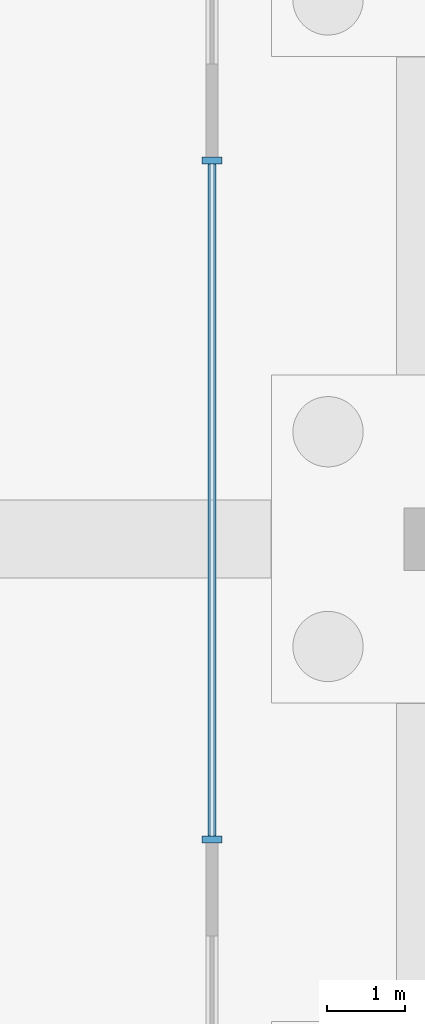
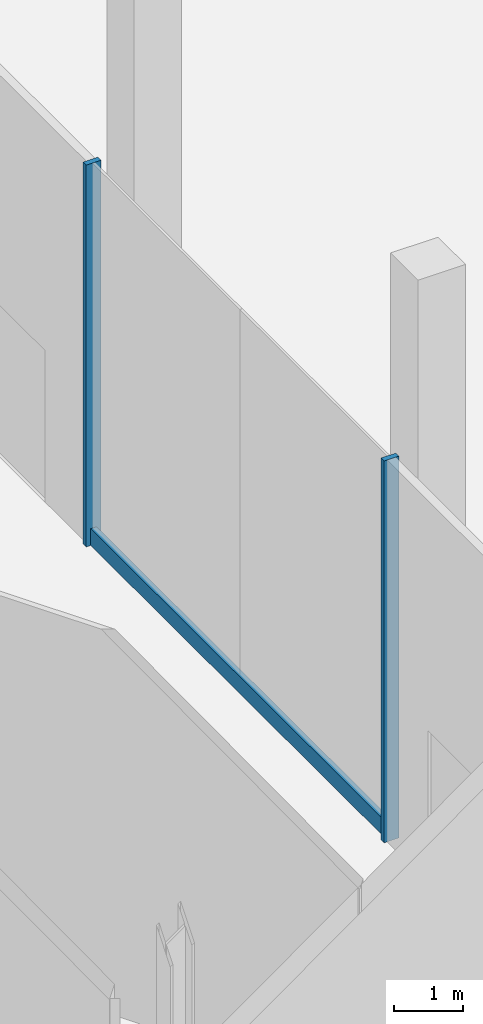
# One storey, part 11 of 27: 3 members, 1 element without a shape of its own.
"""IFC4 building model written with IfcOpenShell, lengths in metres."""

from ifc_helpers import new_model, si_unit, direction, frame, origin, origin_2d, place, context, subcontext, project, spatial, rectangle, extrude, source, transform, mapped, material, material_profile, profile_set, type_object, element, aggregate, save


model = new_model("IFC4")

# Units and contexts
model_context = context("Model", 3, precision=1e-05, world=origin(), true_north=direction((0.0, 1.0)))
body_context = subcontext(model_context, "Body", "Model", "MODEL_VIEW")
ifc_project = project(units=[si_unit("LENGTHUNIT", "METRE"), si_unit("AREAUNIT", "SQUARE_METRE"), si_unit("VOLUMEUNIT", "CUBIC_METRE"), si_unit("PLANEANGLEUNIT", "RADIAN"), si_unit("MASSUNIT", "GRAM", prefix="KILO")], contexts=[model_context])

# Site, building, storey
site_placement = place(None, origin())
site = spatial("IfcSite", under=ifc_project, at=site_placement, CompositionType="ELEMENT")
building_placement = place(site_placement, origin())
building = spatial("IfcBuilding", under=site, at=building_placement, Name="Triune Harvest Tower", CompositionType="ELEMENT")
storey_placement = place(building_placement, origin())
storey = spatial("IfcBuildingStorey", under=building, at=storey_placement, Name="L00", CompositionType="ELEMENT", Elevation=0.0)

# Curtain wall, members
ifc_material_1 = material(Name="Aluminium bronze anodised", Category="aluminium")
curtain_wall_type = type_object("IfcCurtainWallType", Name="CW-2 Podium shopfront wall", PredefinedType="NOTDEFINED", material=ifc_material_1)
curtain_wall_placement = place(storey_placement, origin())
curtain_wall = element("IfcCurtainWall", 1, at=curtain_wall_placement, inside=storey, type_object=curtain_wall_type, Name="CW-2 PD-F1 L00 run 4")
ifc_material_2 = material(Name="Aluminium bronze anodised", Category="aluminium")
ifc_material_profile_1 = material_profile(ifc_material_2, rectangle(XDim=0.25, YDim=0.090087890625, at=origin_2d()), Name="MU-2 mullion 90 x 250")
ifc_profile_set_1 = profile_set([ifc_material_profile_1], Name="Aluminium bronze anodised")
member_type_1 = type_object("IfcMemberType", Name="MU-2 mullion 90 x 250", PredefinedType="MULLION", material=ifc_profile_set_1)
shared_shape_1 = source(origin(), body_context, "Body", "SweptSolid", [
    extrude(rectangle(XDim=0.25, YDim=0.090087890625, at=origin_2d()), origin(), (0.0, 0.0, 1.0), 6.800048828125),
])
member_1_placement = place(storey_placement, frame((27.854248046875, 4.435546875, 0.0), z_axis=(0.0, 0.0, 1.0), x_axis=(-1.0, 0.0, 0.0)))
member_1 = element("IfcMember", 2, at=member_1_placement, type_object=member_type_1, Name="CW-2 mullion PD-F1 4.1", PredefinedType="MULLION", context=body_context, shape_type="MappedRepresentation", body=[
    mapped(shared_shape_1, transform((0.0, 0.0, 0.0), scale=1.0)),
])
member_2_placement = place(storey_placement, frame((27.854248046875, 13.12646484375, 0.0), z_axis=(0.0, 0.0, 1.0), x_axis=(-1.0, 0.0, 0.0)))
member_2 = element("IfcMember", 3, at=member_2_placement, type_object=member_type_1, Name="CW-2 mullion PD-F1 4.3", PredefinedType="MULLION", context=body_context, shape_type="MappedRepresentation", body=[
    mapped(shared_shape_1, transform((0.0, 0.0, 0.0), scale=1.0)),
])
ifc_material_3 = material(Name="Aluminium bronze anodised", Category="aluminium")
ifc_material_profile_2 = material_profile(ifc_material_3, rectangle(XDim=0.10009765625, YDim=0.300048828125, at=origin_2d()), Name="TR-2 transom 100 x 300")
ifc_profile_set_2 = profile_set([ifc_material_profile_2], Name="Aluminium bronze anodised")
member_type_2 = type_object("IfcMemberType", Name="TR-2 transom 100 x 300", PredefinedType="USERDEFINED", material=ifc_profile_set_2)
shared_shape_2 = source(origin(), body_context, "Body", "SweptSolid", [
    extrude(rectangle(XDim=0.10009765625, YDim=0.300048828125, at=origin_2d()), origin(), (0.0, 0.0, 1.0), 8.60107421875),
])
member_3_placement = place(storey_placement, frame((27.854248046875, 4.48046875, 0.14990234375), z_axis=(0.0, 1.0, 0.0), x_axis=(-1.0, 0.0, 0.0)))
member_3 = element("IfcMember", 4, at=member_3_placement, type_object=member_type_2, Name="CW-2 transom PD-F1 4.1", ObjectType="TRANSOM", PredefinedType="USERDEFINED", context=body_context, shape_type="MappedRepresentation", body=[
    mapped(shared_shape_2, transform((0.0, 0.0, 0.0), scale=1.0)),
])
aggregate(curtain_wall, [member_1, member_2, member_3])

save(model, "model.ifc")
